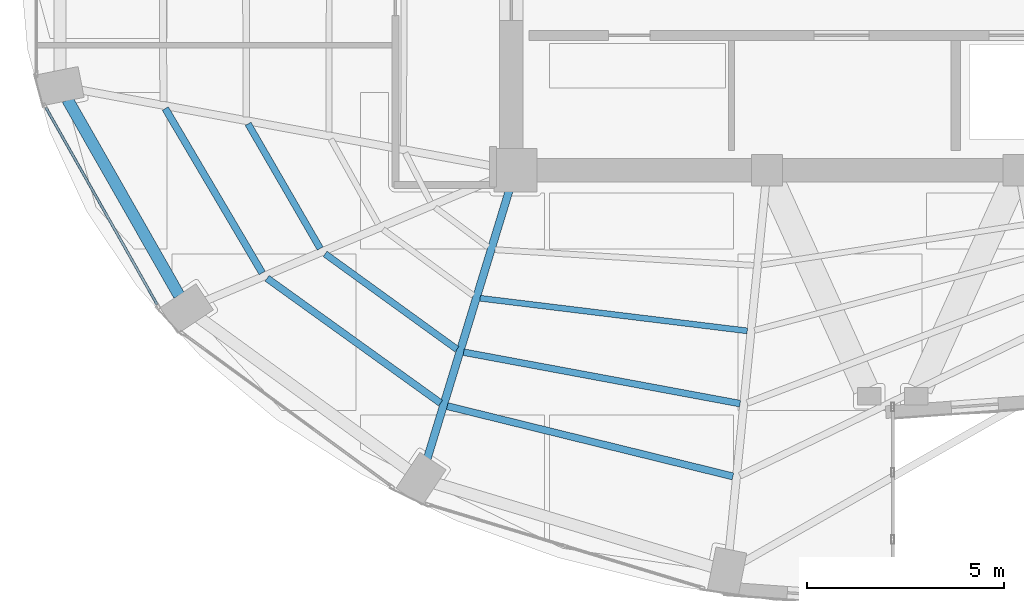
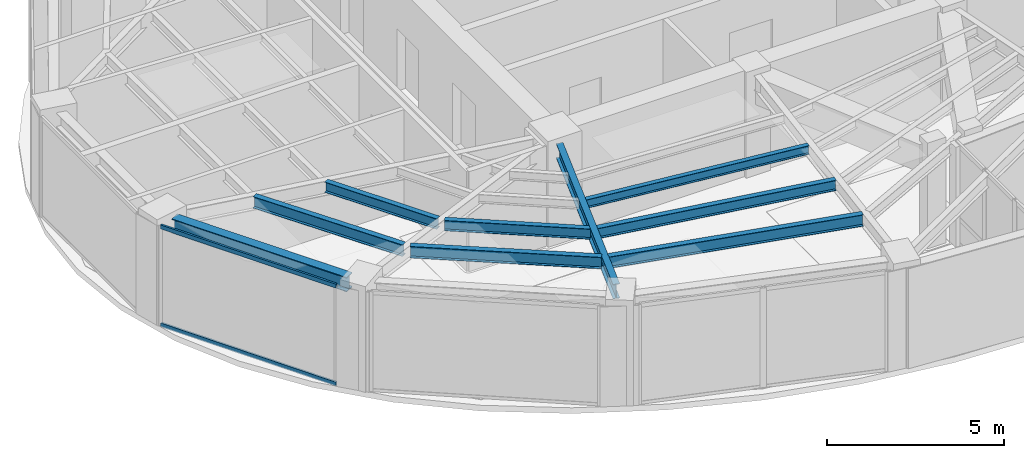
# One storey, part 3 of 23: 9 beams, 2 members, 1 element without a shape of its own.
"""IFC4 building model written with IfcOpenShell, lengths in metres."""

from ifc_helpers import new_model, si_unit, direction, frame, origin, origin_2d, place, context, subcontext, project, spatial, hollow_rectangle, i_section, extrude, material, layer, layer_set, material_profile, profile_set, type_object, element, aggregate, save


model = new_model("IFC4")

# Units and contexts
model_context = context("Model", 3, precision=1e-05, world=origin(), true_north=direction((0.0, 1.0)))
body_context = subcontext(model_context, "Body", "Model", "MODEL_VIEW")
ifc_project = project(units=[si_unit("LENGTHUNIT", "METRE"), si_unit("AREAUNIT", "SQUARE_METRE"), si_unit("VOLUMEUNIT", "CUBIC_METRE"), si_unit("PLANEANGLEUNIT", "RADIAN"), si_unit("MASSUNIT", "GRAM", prefix="KILO")], contexts=[model_context])

# Site, building, storey
site_placement = place(None, origin())
site = spatial("IfcSite", under=ifc_project, at=site_placement, CompositionType="ELEMENT")
building_placement = place(site_placement, origin())
building = spatial("IfcBuilding", under=site, at=building_placement, Name="Lazwardi Medical Tower", CompositionType="ELEMENT")
storey_placement = place(building_placement, frame((0.0, 0.0, 209.424072265625)))
storey = spatial("IfcBuildingStorey", under=building, at=storey_placement, Name="L54", CompositionType="ELEMENT", Elevation=209.424072265625)

# Beams
ifc_material_1 = material(Name="Steel S355", Category="steel")
ifc_material_profile_1 = material_profile(ifc_material_1, i_section(OverallWidth=0.300048828125, OverallDepth=0.5, WebThickness=0.014404296875, FlangeThickness=0.028076171875, at=origin_2d()), Name="HEB 500")
ifc_profile_set_1 = profile_set([ifc_material_profile_1], Name="Steel S355")
beam_type_1 = type_object("IfcBeamType", Name="BM-RB-Z4", PredefinedType="BEAM", material=ifc_profile_set_1)
beam_1_placement = place(storey_placement, frame((15.008056640625, 22.1982421875, 3.197998046875), z_axis=(0.495125273299, -0.868821594886, 0.0), x_axis=(0.868821594886, 0.495125273299, 0.0)))
element("IfcBeam", 1, at=beam_1_placement, inside=storey, type_object=beam_type_1, Name="Ring beam RB-05 B13 L54", PredefinedType="BEAM", context=body_context, shape_type="SweptSolid", body=[
    extrude(i_section(OverallWidth=0.300048828125, OverallDepth=0.5, WebThickness=0.014404296875, FlangeThickness=0.028076171875, at=origin_2d()), origin(), (0.0, 0.0, 1.0), 5.734130859375),
])
ifc_material_profile_2 = material_profile(ifc_material_1, i_section(OverallWidth=0.199951171875, OverallDepth=0.5, WebThickness=0.01025390625, FlangeThickness=0.01611328125, at=origin_2d()), Name="IPE 500")
ifc_profile_set_2 = profile_set([ifc_material_profile_2], Name="Steel S355")
beam_type_2 = type_object("IfcBeamType", Name="BM-RG-W3", PredefinedType="BEAM", material=ifc_profile_set_2)
beam_2_placement = place(storey_placement, frame((24.156005859375, 13.0576171875, 3.197998046875), z_axis=(0.292276716539, 0.956333791607, 0.0), x_axis=(-0.956333791607, 0.292276716539, 0.0)))
element("IfcBeam", 2, at=beam_2_placement, inside=storey, type_object=beam_type_2, Name="Radial girder RG-04 R15 L54", PredefinedType="BEAM", context=body_context, shape_type="SweptSolid", body=[
    extrude(i_section(OverallWidth=0.199951171875, OverallDepth=0.5, WebThickness=0.01025390625, FlangeThickness=0.01611328125, at=origin_2d()), origin(), (0.0, 0.0, 1.0), 7.142822265625),
])
ifc_material_profile_3 = material_profile(ifc_material_1, i_section(OverallWidth=0.179931640625, OverallDepth=0.39990234375, WebThickness=0.008544921875, FlangeThickness=0.013427734375, at=origin_2d()), Name="IPE 400")
ifc_profile_set_3 = profile_set([ifc_material_profile_3], Name="Steel S355")
beam_type_3 = type_object("IfcBeamType", Name="BM-SJ-01", PredefinedType="JOIST", material=ifc_profile_set_3)
beam_3_placement = place(storey_placement, frame((17.495849609375, 21.969482421875, 3.248046875), z_axis=(0.507710311367, -0.861527851977, 0.0), x_axis=(0.861527851977, 0.507710311367, 0.0)))
element("IfcBeam", 3, at=beam_3_placement, inside=storey, type_object=beam_type_3, Name="Secondary joist SJ-01 R1 B13 L54", PredefinedType="JOIST", context=body_context, shape_type="SweptSolid", body=[
    extrude(i_section(OverallWidth=0.179931640625, OverallDepth=0.39990234375, WebThickness=0.008544921875, FlangeThickness=0.013427734375, at=origin_2d()), origin(), (0.0, 0.0, 1.0), 4.852783203125),
])
beam_4_placement = place(storey_placement, frame((20.085205078125, 17.651123046875, 3.248046875), z_axis=(0.811889581337, -0.58381102055, 0.0), x_axis=(0.58381102055, 0.811889581337, 0.0)))
element("IfcBeam", 4, at=beam_4_placement, inside=storey, type_object=beam_type_3, Name="Secondary joist SJ-01 R1 B14 L54", PredefinedType="JOIST", context=body_context, shape_type="SweptSolid", body=[
    extrude(i_section(OverallWidth=0.179931640625, OverallDepth=0.39990234375, WebThickness=0.008544921875, FlangeThickness=0.013427734375, at=origin_2d()), origin(), (0.0, 0.0, 1.0), 5.433349609375),
])
beam_5_placement = place(storey_placement, frame((24.665771484375, 14.40087890625, 3.248046875), z_axis=(0.971041669317, -0.238910184904, 0.0), x_axis=(0.238910184904, 0.971041669317, 0.0)))
element("IfcBeam", 5, at=beam_5_placement, inside=storey, type_object=beam_type_3, Name="Secondary joist SJ-01 R1 B15 L54", PredefinedType="JOIST", context=body_context, shape_type="SweptSolid", body=[
    extrude(i_section(OverallWidth=0.179931640625, OverallDepth=0.39990234375, WebThickness=0.008544921875, FlangeThickness=0.013427734375, at=origin_2d()), origin(), (0.0, 0.0, 1.0), 7.482421875),
])
ifc_material_profile_4 = material_profile(ifc_material_1, i_section(OverallWidth=0.169921875, OverallDepth=0.360107421875, WebThickness=0.008056640625, FlangeThickness=0.0126953125, at=origin_2d()), Name="IPE 360")
ifc_profile_set_4 = profile_set([ifc_material_profile_4], Name="Steel S355")
beam_type_4 = type_object("IfcBeamType", Name="BM-SJ-02", PredefinedType="JOIST", material=ifc_profile_set_4)
beam_6_placement = place(storey_placement, frame((19.601806640625, 21.58056640625, 3.267822265625), z_axis=(0.500655179543, -0.865646805109, 0.0), x_axis=(0.865646805109, 0.500655179543, 0.0)))
element("IfcBeam", 6, at=beam_6_placement, inside=storey, type_object=beam_type_4, Name="Secondary joist SJ-02 R2 B13 L54", PredefinedType="JOIST", context=body_context, shape_type="SweptSolid", body=[
    extrude(i_section(OverallWidth=0.169921875, OverallDepth=0.360107421875, WebThickness=0.008056640625, FlangeThickness=0.0126953125, at=origin_2d()), origin(), (0.0, 0.0, 1.0), 3.662109375),
])
beam_7_placement = place(storey_placement, frame((21.559814453125, 18.2724609375, 3.267822265625), z_axis=(0.810164229155, -0.586202969796, 0.0), x_axis=(0.586202969796, 0.810164229155, 0.0)))
element("IfcBeam", 7, at=beam_7_placement, inside=storey, type_object=beam_type_4, Name="Secondary joist SJ-02 R2 B14 L54", PredefinedType="JOIST", context=body_context, shape_type="SweptSolid", body=[
    extrude(i_section(OverallWidth=0.169921875, OverallDepth=0.360107421875, WebThickness=0.008056640625, FlangeThickness=0.0126953125, at=origin_2d()), origin(), (0.0, 0.0, 1.0), 4.14013671875),
])
beam_8_placement = place(storey_placement, frame((25.08447265625, 15.7724609375, 3.267822265625), z_axis=(0.983132476587, -0.182894870019, 0.0), x_axis=(0.182894870019, 0.983132476587, 0.0)))
element("IfcBeam", 8, at=beam_8_placement, inside=storey, type_object=beam_type_4, Name="Secondary joist SJ-02 R2 B15 L54", PredefinedType="JOIST", context=body_context, shape_type="SweptSolid", body=[
    extrude(i_section(OverallWidth=0.169921875, OverallDepth=0.360107421875, WebThickness=0.008056640625, FlangeThickness=0.0126953125, at=origin_2d()), origin(), (0.0, 0.0, 1.0), 7.15087890625),
])
ifc_material_profile_5 = material_profile(ifc_material_1, i_section(OverallWidth=0.14990234375, OverallDepth=0.300048828125, WebThickness=0.007080078125, FlangeThickness=0.0107421875, at=origin_2d()), Name="IPE 300")
ifc_profile_set_5 = profile_set([ifc_material_profile_5], Name="Steel S355")
beam_type_5 = type_object("IfcBeamType", Name="BM-SJ-03", PredefinedType="JOIST", material=ifc_profile_set_5)
beam_9_placement = place(storey_placement, frame((25.5029296875, 17.14453125, 3.2978515625), z_axis=(0.992634689535, -0.121146081783, 0.0), x_axis=(0.121146081783, 0.992634689535, 0.0)))
element("IfcBeam", 9, at=beam_9_placement, inside=storey, type_object=beam_type_5, Name="Secondary joist SJ-03 R3 B15 L54", PredefinedType="JOIST", context=body_context, shape_type="SweptSolid", body=[
    extrude(i_section(OverallWidth=0.14990234375, OverallDepth=0.300048828125, WebThickness=0.007080078125, FlangeThickness=0.0107421875, at=origin_2d()), origin(), (0.0, 0.0, 1.0), 6.845947265625),
])

# Curtain wall, members
ifc_material_2 = material(Name="Anodised bronze aluminium and solar control glazing", Category="aluminium")
ifc_layer = layer(ifc_material_2, 0.18994140625)
ifc_layer_set = layer_set([ifc_layer], Name="Anodised bronze aluminium and solar control glazing")
curtain_wall_type = type_object("IfcCurtainWallType", Name="CW-SYS-04", PredefinedType="NOTDEFINED", material=ifc_layer_set)
curtain_wall_placement = place(storey_placement, origin())
curtain_wall = element("IfcCurtainWall", 10, at=curtain_wall_placement, inside=storey, type_object=curtain_wall_type, Name="L54 Unitised bronze curtain wall CW-04", PredefinedType="NOTDEFINED")
ifc_material_3 = material(Name="Anodised bronze aluminium", Category="aluminium")
ifc_material_profile_6 = material_profile(ifc_material_3, hollow_rectangle(XDim=0.06494140625, YDim=0.139892578125, WallThickness=0.00341796875, at=origin_2d()), Name="ALU-TRANSOM 140x65x3.5")
ifc_profile_set_6 = profile_set([ifc_material_profile_6], Name="Anodised bronze aluminium")
member_type = type_object("IfcMemberType", Name="CW-TRN-03", PredefinedType="USERDEFINED", material=ifc_profile_set_6)
member_1_placement = place(storey_placement, frame((14.458740234375, 21.993408203125, 0.032470703125), z_axis=(0.491897887635, -0.870652897623, 0.0), x_axis=(0.870652897623, 0.491897887635, 0.0)))
member_1 = element("IfcMember", 11, at=member_1_placement, type_object=member_type, Name="CW-04 transom 1.1", ObjectType="TRANSOM", PredefinedType="USERDEFINED", context=body_context, shape_type="SweptSolid", body=[
    extrude(hollow_rectangle(XDim=0.06494140625, YDim=0.139892578125, WallThickness=0.00341796875, at=origin_2d()), origin(), (0.0, 0.0, 1.0), 5.7548828125),
])
member_2_placement = place(storey_placement, frame((14.458740234375, 21.993408203125, 3.41552734375), z_axis=(0.491897887635, -0.870652897623, 0.0), x_axis=(0.870652897623, 0.491897887635, 0.0)))
member_2 = element("IfcMember", 12, at=member_2_placement, type_object=member_type, Name="CW-04 transom 1.2", ObjectType="TRANSOM", PredefinedType="USERDEFINED", context=body_context, shape_type="SweptSolid", body=[
    extrude(hollow_rectangle(XDim=0.06494140625, YDim=0.139892578125, WallThickness=0.00341796875, at=origin_2d()), origin(), (0.0, 0.0, 1.0), 5.7548828125),
])
aggregate(curtain_wall, [member_1, member_2])

save(model, "model.ifc")
